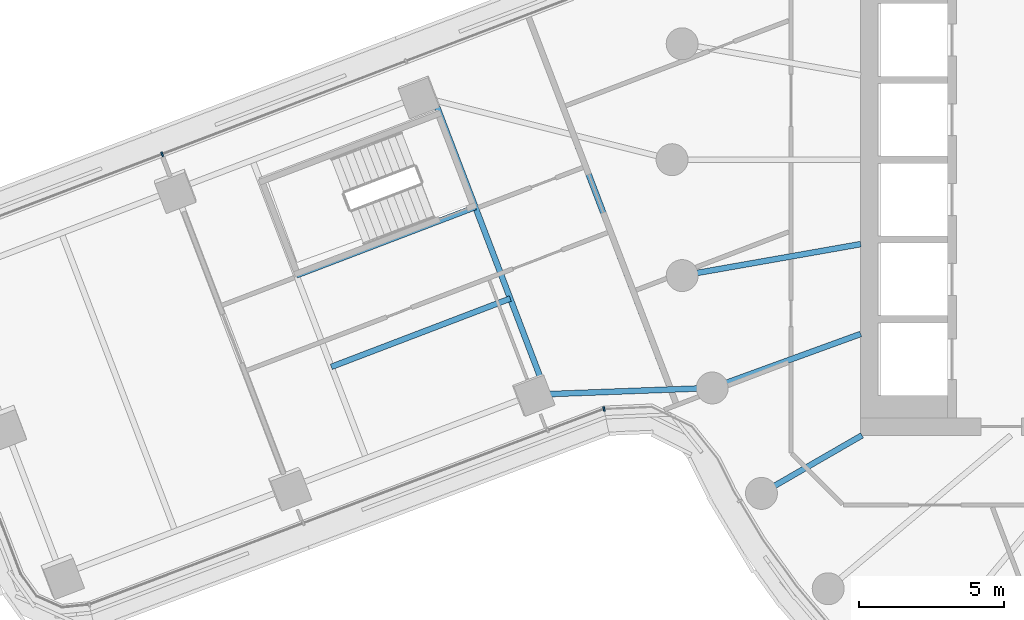
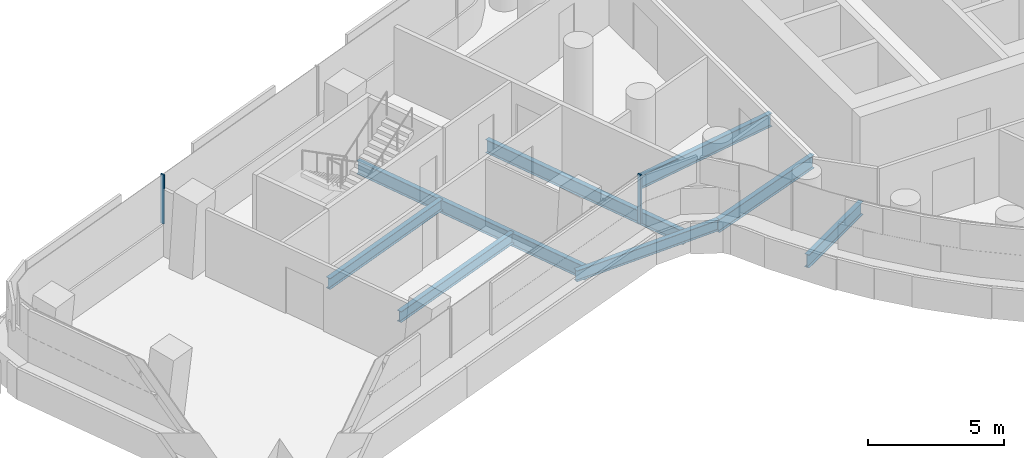
# One storey, part 5 of 32: 8 beams, 2 members, 2 elements without a shape of their own.
"""IFC4 building model written with IfcOpenShell, lengths in metres."""

from ifc_helpers import new_model, si_unit, direction, frame, origin, origin_2d, place, context, subcontext, project, spatial, rectangle, i_section, extrude, material, layer, layer_set, material_profile, profile_set, type_object, element, aggregate, save


model = new_model("IFC4")

# Units and contexts
model_context = context("Model", 3, precision=1e-05, world=origin(), true_north=direction((0.0, 1.0)))
body_context = subcontext(model_context, "Body", "Model", "MODEL_VIEW")
ifc_project = project(units=[si_unit("LENGTHUNIT", "METRE"), si_unit("AREAUNIT", "SQUARE_METRE"), si_unit("VOLUMEUNIT", "CUBIC_METRE"), si_unit("PLANEANGLEUNIT", "RADIAN"), si_unit("MASSUNIT", "GRAM", prefix="KILO")], contexts=[model_context])

# Site, building, storey
site_placement = place(None, origin())
site = spatial("IfcSite", under=ifc_project, at=site_placement, CompositionType="ELEMENT")
building_placement = place(site_placement, origin())
building = spatial("IfcBuilding", under=site, at=building_placement, Name="Tamarind Cross Interchange Tower", CompositionType="ELEMENT")
storey_placement = place(building_placement, frame((0.0, 0.0, 109.75)))
storey = spatial("IfcBuildingStorey", under=building, at=storey_placement, Name="L26", CompositionType="ELEMENT", Elevation=109.75)

# Beams
ifc_material_1 = material(Name="Steel Q355B", Category="steel")
ifc_material_profile_1 = material_profile(ifc_material_1, i_section(OverallWidth=0.198974609375, OverallDepth=0.49609375, WebThickness=0.009033203125, FlangeThickness=0.013916015625, FilletRadius=0.012939453125, at=origin_2d()), Name="HN 496x199x9x14")
ifc_profile_set_1 = profile_set([ifc_material_profile_1], Name="Steel Q355B")
beam_type_1 = type_object("IfcBeamType", Name="Composite beam HN 496x199x9x14 Q355B", PredefinedType="BEAM", material=ifc_profile_set_1)
beam_1_placement = place(storey_placement, frame((-27.79248046875, -8.0986328125, -0.387939453125), z_axis=(0.99929489644, 0.037546104323, 0.0), x_axis=(-0.037546104323, 0.99929489644, 0.0)))
element("IfcBeam", 1, at=beam_1_placement, inside=storey, type_object=beam_type_1, Name="Beam W-linkep", PredefinedType="BEAM", context=body_context, shape_type="SweptSolid", body=[
    extrude(i_section(OverallWidth=0.198974609375, OverallDepth=0.49609375, WebThickness=0.009033203125, FlangeThickness=0.013916015625, FilletRadius=0.012939453125, at=origin_2d()), origin(), (0.0, 0.0, 1.0), 6.183837890625),
])
for number, where, z_axis, x_axis, name in (
    (2, (-29.779541015625, -1.632080078125, -0.387939453125), (-0.934233177325, -0.356662824508, 0.0), (0.356662824508, -0.934233177325, 0.0), "Beam W-tr1"),
    (3, (-28.57568359375, -4.78515625, -0.387939453125), (-0.934233177325, -0.356662824508, 0.0), (0.356662824508, -0.934233177325, 0.0), "Beam W-stripp"),
):
    element("IfcBeam", number, at=place(storey_placement, frame(where, z_axis=z_axis, x_axis=x_axis)), inside=storey, type_object=beam_type_1, Name=name, PredefinedType="BEAM", context=body_context, shape_type="SweptSolid", body=[
        extrude(i_section(OverallWidth=0.198974609375, OverallDepth=0.49609375, WebThickness=0.009033203125, FlangeThickness=0.013916015625, FilletRadius=0.012939453125, at=origin_2d()), origin(), (0.0, 0.0, 1.0), 6.60009765625),
    ])
ifc_material_profile_2 = material_profile(ifc_material_1, i_section(OverallWidth=0.198974609375, OverallDepth=0.595947265625, WebThickness=0.010009765625, FlangeThickness=0.014892578125, FilletRadius=0.012939453125, at=origin_2d()), Name="HN 596x199x10x15")
ifc_profile_set_2 = profile_set([ifc_material_profile_2], Name="Steel Q355B")
beam_type_2 = type_object("IfcBeamType", Name="Composite beam HN 596x199x10x15 Q355B", PredefinedType="BEAM", material=ifc_profile_set_2)
beam_2_placement = place(storey_placement, frame((-22.650634765625, -3.993896484375, -0.43798828125), z_axis=(0.984809127561, 0.173640382036, 0.0), x_axis=(-0.173640382036, 0.984809127561, 0.0)))
element("IfcBeam", 4, at=beam_2_placement, inside=storey, type_object=beam_type_2, Name="Beam HH19", PredefinedType="BEAM", context=body_context, shape_type="SweptSolid", body=[
    extrude(i_section(OverallWidth=0.198974609375, OverallDepth=0.595947265625, WebThickness=0.010009765625, FlangeThickness=0.014892578125, FilletRadius=0.012939453125, at=origin_2d()), origin(), (0.0, 0.0, 1.0), 6.24560546875),
])
beam_3_placement = place(storey_placement, frame((-21.613037109375, -7.866455078125, -0.43798828125), z_axis=(0.939701685589, 0.341995236956, 0.0), x_axis=(-0.341995236956, 0.939701685589, 0.0)))
element("IfcBeam", 5, at=beam_3_placement, inside=storey, type_object=beam_type_2, Name="Beam HH20", PredefinedType="BEAM", context=body_context, shape_type="SweptSolid", body=[
    extrude(i_section(OverallWidth=0.198974609375, OverallDepth=0.595947265625, WebThickness=0.010009765625, FlangeThickness=0.014892578125, FilletRadius=0.012939453125, at=origin_2d()), origin(), (0.0, 0.0, 1.0), 5.441162109375),
])
beam_4_placement = place(storey_placement, frame((-19.918701171875, -11.5, -0.43798828125), z_axis=(0.866026010844, 0.49999894854, 0.0), x_axis=(-0.49999894854, 0.866026010844, 0.0)))
element("IfcBeam", 6, at=beam_4_placement, inside=storey, type_object=beam_type_2, Name="Beam HH21", PredefinedType="BEAM", context=body_context, shape_type="SweptSolid", body=[
    extrude(i_section(OverallWidth=0.198974609375, OverallDepth=0.595947265625, WebThickness=0.010009765625, FlangeThickness=0.014892578125, FilletRadius=0.012939453125, at=origin_2d()), origin(), (0.0, 0.0, 1.0), 4.0),
])
ifc_material_profile_3 = material_profile(ifc_material_1, i_section(OverallWidth=0.199951171875, OverallDepth=0.60009765625, WebThickness=0.010986328125, FlangeThickness=0.01708984375, FilletRadius=0.012939453125, at=origin_2d()), Name="HN 600x200x11x17")
ifc_profile_set_3 = profile_set([ifc_material_profile_3], Name="Steel Q355B")
beam_type_3 = type_object("IfcBeamType", Name="Composite beam HN 600x200x11x17 Q355B", PredefinedType="BEAM", material=ifc_profile_set_3)
beam_5_placement = place(storey_placement, frame((-31.183349609375, 2.044921875, -0.43994140625), z_axis=(0.356664034174, -0.934232715509, 0.0), x_axis=(0.934232715509, 0.356664034174, 0.0)))
element("IfcBeam", 7, at=beam_5_placement, inside=storey, type_object=beam_type_3, Name="Beam W-x298", PredefinedType="BEAM", context=body_context, shape_type="SweptSolid", body=[
    extrude(i_section(OverallWidth=0.199951171875, OverallDepth=0.60009765625, WebThickness=0.010986328125, FlangeThickness=0.01708984375, FilletRadius=0.012939453125, at=origin_2d()), origin(), (0.0, 0.0, 1.0), 10.838623046875),
])
beam_6_placement = place(storey_placement, frame((-26.39111328125, 0.847412109375, -0.43994140625), z_axis=(0.356682163656, -0.934225793976, 0.0), x_axis=(0.934225793976, 0.356682163656, 0.0)))
element("IfcBeam", 8, at=beam_6_placement, inside=storey, type_object=beam_type_3, Name="Beam W-x258", PredefinedType="BEAM", context=body_context, shape_type="SweptSolid", body=[
    extrude(i_section(OverallWidth=0.199951171875, OverallDepth=0.60009765625, WebThickness=0.010986328125, FlangeThickness=0.01708984375, FilletRadius=0.012939453125, at=origin_2d()), origin(), (0.0, 0.0, 1.0), 9.384765625),
])

# Curtain wall, member
ifc_material_2 = material(Name="Aluminium 6063-T6", Category="aluminium")
ifc_layer = layer(ifc_material_2, 0.159912109375)
ifc_layer_set = layer_set([ifc_layer], Name="Aluminium 6063-T6")
curtain_wall_type = type_object("IfcCurtainWallType", Name="Office curtain wall, 9.0 m bays", PredefinedType="NOTDEFINED", material=ifc_layer_set)
curtain_wall_1_placement = place(storey_placement, origin())
curtain_wall_1 = element("IfcCurtainWall", 9, at=curtain_wall_1_placement, inside=storey, type_object=curtain_wall_type, Name="CWS-L26-02", PredefinedType="NOTDEFINED")
ifc_material_profile_4 = material_profile(ifc_material_2, rectangle(XDim=0.06005859375, YDim=0.159912109375, at=origin_2d()), Name="Mullion CW1")
ifc_profile_set_4 = profile_set([ifc_material_profile_4], Name="Aluminium 6063-T6")
member_type = type_object("IfcMemberType", Name="Mullion CW1", PredefinedType="MULLION", material=ifc_profile_set_4)
member_1_placement = place(storey_placement, frame((-25.34619140625, -8.588623046875, 1.39990234375), z_axis=(0.0, 0.0, 1.0), x_axis=(0.979480943004, 0.201536801334, 0.0)))
member_1 = element("IfcMember", 10, at=member_1_placement, type_object=member_type, Name="CWM-L26-02-00", PredefinedType="MULLION", context=body_context, shape_type="SweptSolid", body=[
    extrude(rectangle(XDim=0.06005859375, YDim=0.159912109375, at=origin_2d()), origin(), (0.0, 0.0, 1.0), 2.210205078125),
])
aggregate(curtain_wall_1, [member_1])

curtain_wall_2_placement = place(storey_placement, origin())
curtain_wall_2 = element("IfcCurtainWall", 11, at=curtain_wall_2_placement, inside=storey, type_object=curtain_wall_type, Name="CWS-L26-15", PredefinedType="NOTDEFINED")
member_2_placement = place(storey_placement, frame((-40.5693359375, 0.189208984375, 1.39990234375), z_axis=(0.0, 0.0, 1.0), x_axis=(-0.934229377055, -0.356672778674, 0.0)))
member_2 = element("IfcMember", 12, at=member_2_placement, type_object=member_type, Name="CWM-L26-15-02", PredefinedType="MULLION", context=body_context, shape_type="SweptSolid", body=[
    extrude(rectangle(XDim=0.06005859375, YDim=0.159912109375, at=origin_2d()), origin(), (0.0, 0.0, 1.0), 2.210205078125),
])
aggregate(curtain_wall_2, [member_2])

save(model, "model.ifc")
